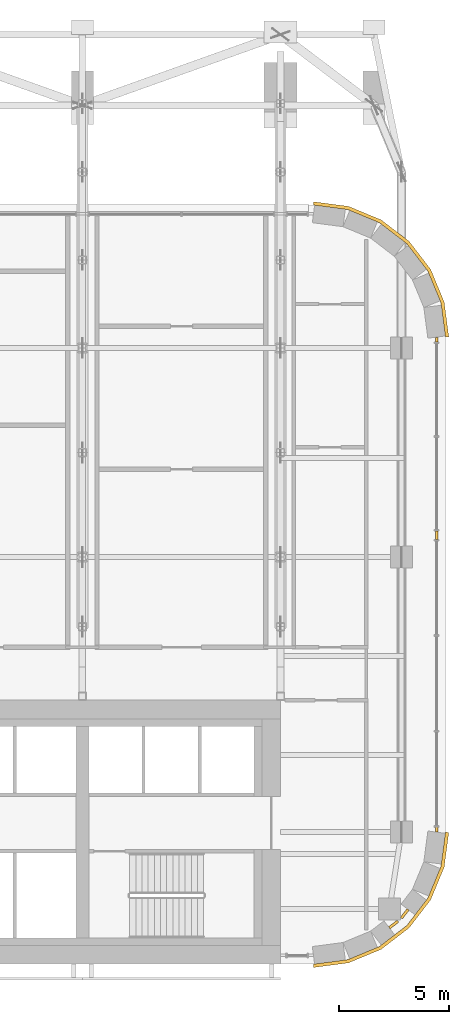
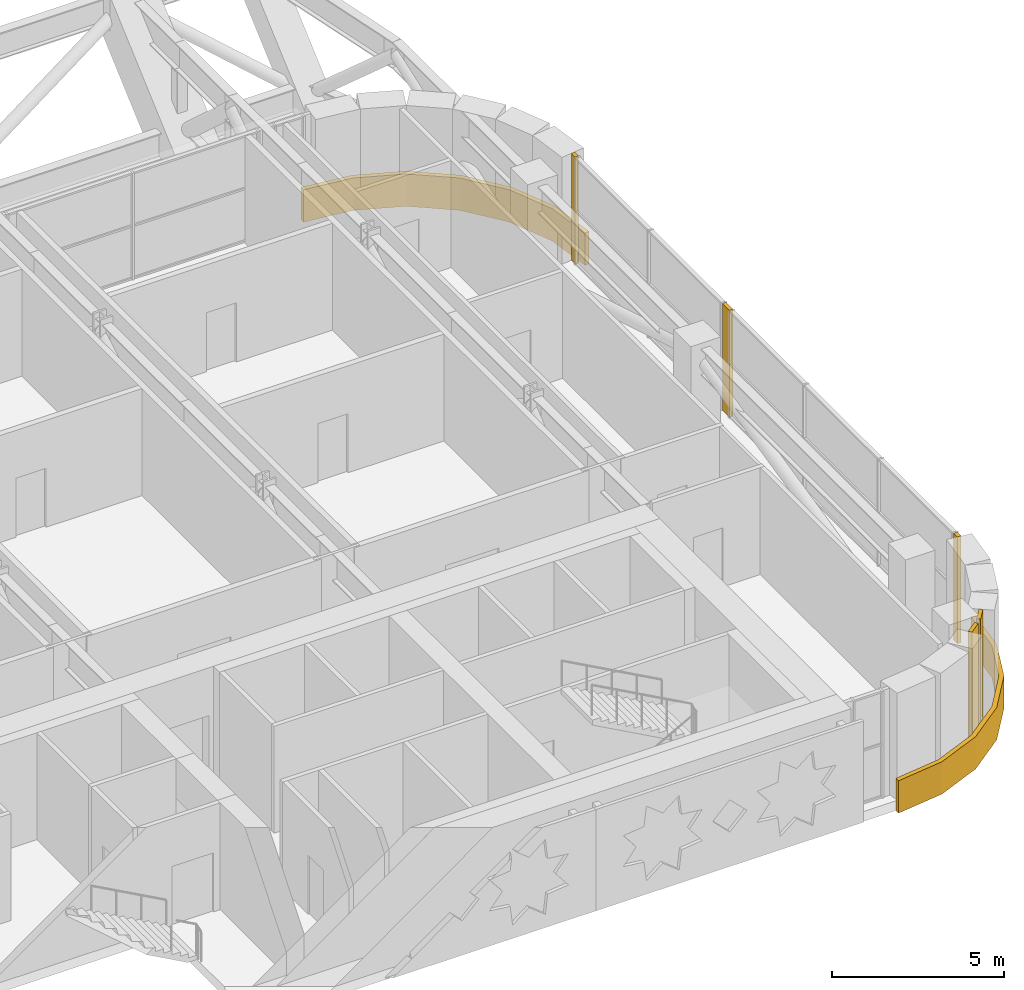
# One storey, part 23 of 23: 7 coverings.
"""IFC4 building model written with IfcOpenShell, lengths in metres."""

from ifc_helpers import new_model, si_unit, direction, frame, origin, origin_2d, place, context, subcontext, project, spatial, polyline, rectangle, outline, extrude, material, layer, layer_set, type_object, element, save


model = new_model("IFC4")

# Units and contexts
model_context = context("Model", 3, precision=1e-05, world=origin(), true_north=direction((0.0, 1.0)))
body_context = subcontext(model_context, "Body", "Model", "MODEL_VIEW")
ifc_project = project(units=[si_unit("LENGTHUNIT", "METRE"), si_unit("AREAUNIT", "SQUARE_METRE"), si_unit("VOLUMEUNIT", "CUBIC_METRE"), si_unit("PLANEANGLEUNIT", "RADIAN"), si_unit("MASSUNIT", "GRAM", prefix="KILO")], contexts=[model_context])

# Site, building, storey
site_placement = place(None, origin())
site = spatial("IfcSite", under=ifc_project, at=site_placement, CompositionType="ELEMENT")
building_placement = place(site_placement, origin())
building = spatial("IfcBuilding", under=site, at=building_placement, Name="Zellij Exchange Tower", CompositionType="ELEMENT")
storey_placement = place(building_placement, frame((0.0, 0.0, 160.5)))
storey = spatial("IfcBuildingStorey", under=building, at=storey_placement, Name="L36", CompositionType="ELEMENT", Elevation=160.5)

# Coverings
ifc_material = material(Name="Limestone cladding", Category="masonry")
ifc_layer_1 = layer(ifc_material, 0.14990234375)
ifc_layer_set_1 = layer_set([ifc_layer_1], Name="Limestone cladding")
covering_type_1 = type_object("IfcCoveringType", Name="ENV-CV1 Stone spandrel band 150", PredefinedType="CLADDING", material=ifc_layer_set_1)
covering_1_placement = place(storey_placement, frame((0.0, 0.0, -0.35009765625)))
element("IfcCovering", 1, at=covering_1_placement, inside=storey, type_object=covering_type_1, Name="Stone spandrel band", PredefinedType="CLADDING", context=body_context, shape_type="SweptSolid", body=[
    extrude(outline(polyline([(28.5, -14.0), (30.052978515625, -13.795654296875), (31.5, -13.1962890625), (32.74267578125, -12.24267578125), (33.6962890625, -11.0), (34.295654296875, -9.552978515625), (34.5, -8.0), (34.64990234375, -8.009765625), (34.441650390625, -9.592041015625), (33.8271484375, -11.07568359375), (32.849609375, -12.349609375), (31.57568359375, -13.3271484375), (30.092041015625, -13.941650390625), (28.509765625, -14.14990234375), (28.5, -14.0)])), origin(), (0.0, 0.0, 1.0), 1.150146484375),
])
covering_2_placement = place(storey_placement, frame((0.0, 0.0, -0.35009765625)))
element("IfcCovering", 2, at=covering_2_placement, inside=storey, type_object=covering_type_1, Name="Stone spandrel band", PredefinedType="CLADDING", context=body_context, shape_type="SweptSolid", body=[
    extrude(outline(polyline([(34.5, 14.5), (34.295654296875, 16.052978515625), (33.6962890625, 17.5), (32.74267578125, 18.74267578125), (31.5, 19.6962890625), (30.052978515625, 20.295654296875), (28.5, 20.5), (28.509765625, 20.64990234375), (30.092041015625, 20.441650390625), (31.57568359375, 19.8271484375), (32.849609375, 18.849609375), (33.8271484375, 17.57568359375), (34.441650390625, 16.092041015625), (34.64990234375, 14.509765625), (34.5, 14.5)])), origin(), (0.0, 0.0, 1.0), 1.150146484375),
])
ifc_layer_2 = layer(ifc_material, 0.1201171875)
ifc_layer_set_2 = layer_set([ifc_layer_2], Name="Limestone cladding")
covering_type_2 = type_object("IfcCoveringType", Name="ENV-CV18 Glazing closer 120", PredefinedType="CLADDING", material=ifc_layer_set_2)
for number, where, z_axis, x_axis, name in (
    (3, (32.647705078125, -11.709228515625, 0.0), (0.0, 0.0, 1.0), (-0.608809891071, -0.793316151692, 0.0), "Glazing closer"),
    (4, (32.14404296875, -12.19775390625, 0.0), (0.0, 0.0, 1.0), (0.793316151692, 0.608809891071, 0.0), "Glazing closer"),
):
    element("IfcCovering", number, at=place(storey_placement, frame(where, z_axis=z_axis, x_axis=x_axis)), inside=storey, type_object=covering_type_2, Name=name, PredefinedType="CLADDING", context=body_context, shape_type="SweptSolid", body=[
        extrude(rectangle(XDim=0.492919921875, YDim=0.1201171875, at=origin_2d()), origin(), (0.0, 0.0, 1.0), 3.800048828125),
    ])
covering_3_placement = place(storey_placement, frame((34.10009765625, 5.49462890625, 0.0), z_axis=(0.0, 0.0, 1.0), x_axis=(0.0, 1.0, 0.0)))
element("IfcCovering", 5, at=covering_3_placement, inside=storey, type_object=covering_type_2, Name="Glazing closer", PredefinedType="CLADDING", context=body_context, shape_type="SweptSolid", body=[
    extrude(rectangle(XDim=0.39990234375, YDim=0.1201171875, at=origin_2d()), origin(), (0.0, 0.0, 1.0), 3.800048828125),
])
for number, where, z_axis, x_axis, name in (
    (6, (34.10009765625, -7.883056640625, 0.0), (0.0, 0.0, 1.0), (0.0, -1.0, 0.0), "Glazing closer"),
    (7, (34.10009765625, 14.383056640625, 0.0), (0.0, 0.0, 1.0), (0.0, 1.0, 0.0), "Glazing closer"),
):
    element("IfcCovering", number, at=place(storey_placement, frame(where, z_axis=z_axis, x_axis=x_axis)), inside=storey, type_object=covering_type_2, Name=name, PredefinedType="CLADDING", context=body_context, shape_type="SweptSolid", body=[
        extrude(rectangle(XDim=0.218505859375, YDim=0.1201171875, at=origin_2d()), origin(), (0.0, 0.0, 1.0), 3.800048828125),
    ])

save(model, "model.ifc")
